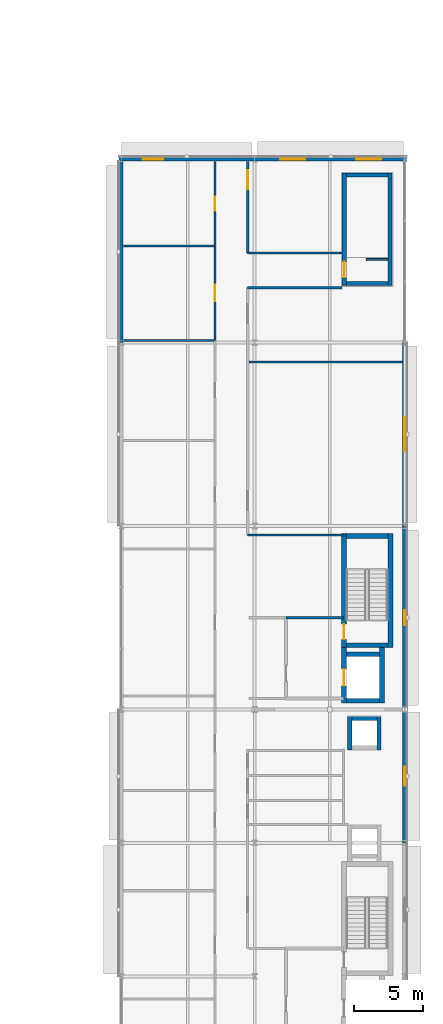
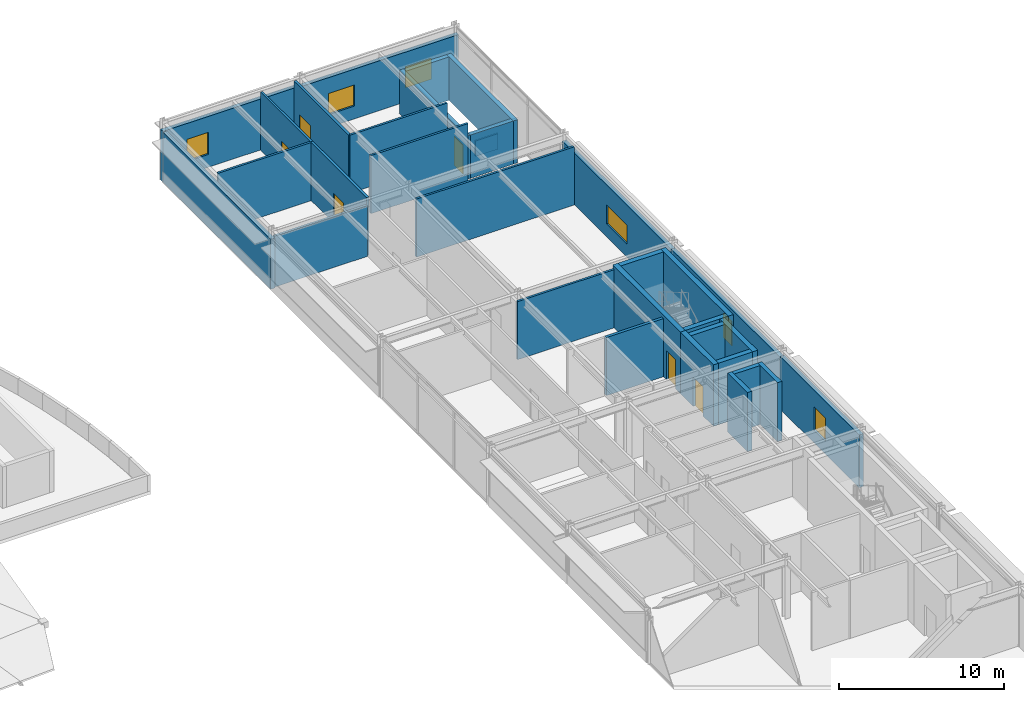
# One storey, part 38 of 50: 32 walls, 6 doors, 6 windows, 12 openings.
"""IFC4 building model written with IfcOpenShell, lengths in metres."""

from ifc_helpers import new_model, si_unit, direction, frame, frame_2d, origin, place, context, subcontext, project, spatial, rectangle, extrude, material, layer, layer_set, type_object, element, fill, save


model = new_model("IFC4")

# Units and contexts
model_context = context("Model", 3, precision=1e-05, world=origin(), true_north=direction((0.0, 1.0)))
body_context = subcontext(model_context, "Body", "Model", "MODEL_VIEW")
ifc_project = project(units=[si_unit("LENGTHUNIT", "METRE"), si_unit("AREAUNIT", "SQUARE_METRE"), si_unit("VOLUMEUNIT", "CUBIC_METRE"), si_unit("PLANEANGLEUNIT", "RADIAN"), si_unit("MASSUNIT", "GRAM", prefix="KILO")], contexts=[model_context])

# Site, building, storey
site_placement = place(None, origin())
site = spatial("IfcSite", under=ifc_project, at=site_placement, CompositionType="ELEMENT")
building_placement = place(site_placement, origin())
building = spatial("IfcBuilding", under=site, at=building_placement, Name="Almandine Court Research Institute", CompositionType="ELEMENT")
storey_placement = place(building_placement, frame((0.0, 0.0, 23.449951171875)))
storey = spatial("IfcBuildingStorey", under=building, at=storey_placement, Name="L05", CompositionType="ELEMENT", Elevation=23.449951171875)

# Wall
ifc_material_1 = material(Name="Insulated Ochre Terracotta Rainscreen Wall", Category="masonry")
ifc_layer_1 = layer(ifc_material_1, 0.2900390625)
ifc_layer_set_1 = layer_set([ifc_layer_1], Name="Insulated Ochre Terracotta Rainscreen Wall")
wall_type_1 = type_object("IfcWallType", Name="Wall-EXT-TERR-290", PredefinedType="SOLIDWALL", material=ifc_layer_set_1)
wall_1_placement = place(storey_placement, frame((153.60009765625, 70.803955078125, 0.0), z_axis=(0.0, 0.0, 1.0), x_axis=(0.0, 1.0, 0.0)))
element("IfcWall", 1, at=wall_1_placement, inside=storey, type_object=wall_type_1, Name="L05 Wet Lab West Facade Wall 7", PredefinedType="SOLIDWALL", context=body_context, shape_type="SweptSolid", body=[
    extrude(rectangle(XDim=13.047119140625, YDim=0.2900390625, at=frame_2d((6.5234375, 0.0))), origin(), (0.0, 0.0, 1.0), 3.695068359375),
])

# Wall, opening, window
wall_2_placement = place(storey_placement, frame((153.455078125, 84.0, 0.0), z_axis=(0.0, 0.0, 1.0), x_axis=(1.0, 0.0, 0.0)))
wall_2 = element("IfcWall", 2, at=wall_2_placement, inside=storey, type_object=wall_type_1, Name="L05 Wet Lab North Wall 1", PredefinedType="SOLIDWALL", context=body_context, shape_type="SweptSolid", body=[
    extrude(rectangle(XDim=9.740966796875, YDim=0.2900390625, at=frame_2d((4.87060546875, 0.0))), origin(), (0.0, 0.0, 1.0), 3.762939453125),
])
opening_1_placement = place(wall_2_placement, frame((1.68994140625, 0.0, 0.949951171875)))
opening_1 = element("IfcOpeningElement", 3, at=opening_1_placement, cuts=wall_2, Name="Opening WN-14", PredefinedType="OPENING", context=body_context, shape_type="SweptSolid", body=[
    extrude(rectangle(XDim=1.489990234375, YDim=1.639892578125, at=frame_2d((0.7451171875, 0.81982421875))), frame((0.0, 0.155029296875, 0.0), z_axis=(0.0, -1.0, 0.0), x_axis=(1.0, 0.0, 0.0)), (0.0, 0.0, 1.0), 0.31005859375),
])
ifc_material_2 = material(Name="Thermally Broken Low-E Double-Glazed Window", Category="glass")
window_type_1 = type_object("IfcWindowType", Name="Win-WN-14-1490x1640", PartitioningType="SINGLE_PANEL", PredefinedType="WINDOW", material=ifc_material_2)
window_1_placement = place(opening_1_placement, origin())
window_1 = element("IfcWindow", 4, at=window_1_placement, inside=storey, type_object=window_type_1, Name="L05 Modular Recessed Low-E Window 147", OverallHeight=1.639892578125, OverallWidth=1.489990234375, PartitioningType="SINGLE_PANEL", PredefinedType="WINDOW", context=body_context, shape_type="SweptSolid", body=[
    extrude(rectangle(XDim=1.489990234375, YDim=1.639892578125, at=frame_2d((0.7451171875, 0.81982421875))), frame((0.0, 0.030029296875, 0.0), z_axis=(0.0, -1.0, 0.0), x_axis=(1.0, 0.0, 0.0)), (0.0, 0.0, 1.0), 0.06005859375),
])
fill(opening_1, window_1)

# Wall, openings, windows
wall_3_placement = place(storey_placement, frame((163.2041015625, 84.0, 0.0), z_axis=(0.0, 0.0, 1.0), x_axis=(1.0, 0.0, 0.0)))
wall_3 = element("IfcWall", 5, at=wall_3_placement, inside=storey, type_object=wall_type_1, Name="L05 Wet Lab North Wall 2", PredefinedType="SOLIDWALL", context=body_context, shape_type="SweptSolid", body=[
    extrude(rectangle(XDim=10.94091796875, YDim=0.2900390625, at=frame_2d((5.470458984375, 0.0))), origin(), (0.0, 0.0, 1.0), 3.68701171875),
])
opening_2_placement = place(wall_3_placement, frame((1.824951171875, 0.0, 0.949951171875)))
opening_2 = element("IfcOpeningElement", 6, at=opening_2_placement, cuts=wall_3, Name="Opening WN-78", PredefinedType="OPENING", context=body_context, shape_type="SweptSolid", body=[
    extrude(rectangle(XDim=1.820068359375, YDim=1.56005859375, at=frame_2d((0.91015625, 0.780029296875))), frame((0.0, 0.155029296875, 0.0), z_axis=(0.0, -1.0, 0.0), x_axis=(1.0, 0.0, 0.0)), (0.0, 0.0, 1.0), 0.31005859375),
])
opening_3_placement = place(wall_3_placement, frame((7.2958984375, 0.0, 0.949951171875)))
opening_3 = element("IfcOpeningElement", 7, at=opening_3_placement, cuts=wall_3, Name="Opening WN-78", PredefinedType="OPENING", context=body_context, shape_type="SweptSolid", body=[
    extrude(rectangle(XDim=1.820068359375, YDim=1.56005859375, at=frame_2d((0.91015625, 0.780029296875))), frame((0.0, 0.155029296875, 0.0), z_axis=(0.0, -1.0, 0.0), x_axis=(1.0, 0.0, 0.0)), (0.0, 0.0, 1.0), 0.31005859375),
])
window_type_2 = type_object("IfcWindowType", Name="Win-WN-78-1820x1560", PartitioningType="SINGLE_PANEL", PredefinedType="WINDOW", material=ifc_material_2)
window_2_placement = place(opening_2_placement, origin())
window_2 = element("IfcWindow", 8, at=window_2_placement, inside=storey, type_object=window_type_2, Name="L05 Modular Recessed Low-E Window 148", OverallHeight=1.56005859375, OverallWidth=1.820068359375, PartitioningType="SINGLE_PANEL", PredefinedType="WINDOW", context=body_context, shape_type="SweptSolid", body=[
    extrude(rectangle(XDim=1.820068359375, YDim=1.56005859375, at=frame_2d((0.91015625, 0.780029296875))), frame((0.0, 0.030029296875, 0.0), z_axis=(0.0, -1.0, 0.0), x_axis=(1.0, 0.0, 0.0)), (0.0, 0.0, 1.0), 0.06005859375),
])
fill(opening_2, window_2)
window_3_placement = place(opening_3_placement, origin())
window_3 = element("IfcWindow", 9, at=window_3_placement, inside=storey, type_object=window_type_2, Name="L05 Modular Recessed Low-E Window 149", OverallHeight=1.56005859375, OverallWidth=1.820068359375, PartitioningType="SINGLE_PANEL", PredefinedType="WINDOW", context=body_context, shape_type="SweptSolid", body=[
    extrude(rectangle(XDim=1.820068359375, YDim=1.56005859375, at=frame_2d((0.91015625, 0.780029296875))), frame((0.0, 0.030029296875, 0.0), z_axis=(0.0, -1.0, 0.0), x_axis=(1.0, 0.0, 0.0)), (0.0, 0.0, 1.0), 0.06005859375),
])
fill(opening_3, window_3)

# Wall, opening, window
wall_4_placement = place(storey_placement, frame((174.0, 70.7958984375, 0.0), z_axis=(0.0, 0.0, 1.0), x_axis=(0.0, -1.0, 0.0)))
wall_4 = element("IfcWall", 10, at=wall_4_placement, inside=storey, type_object=wall_type_1, Name="L05 Wet Lab East Facade Wall 6", PredefinedType="SOLIDWALL", context=body_context, shape_type="SweptSolid", body=[
    extrude(rectangle(XDim=13.19189453125, YDim=0.2900390625, at=frame_2d((6.595947265625, 0.0))), origin(), (0.0, 0.0, 1.0), 3.8310546875),
])
opening_4_placement = place(wall_4_placement, frame((5.35595703125, 0.0, 0.949951171875)))
opening_4 = element("IfcOpeningElement", 11, at=opening_4_placement, cuts=wall_4, Name="Opening WN-79", PredefinedType="OPENING", context=body_context, shape_type="SweptSolid", body=[
    extrude(rectangle(XDim=2.47998046875, YDim=1.39990234375, at=frame_2d((1.239990234375, 0.699951171875))), frame((0.0, 0.155029296875, 0.0), z_axis=(0.0, -1.0, 0.0), x_axis=(1.0, 0.0, 0.0)), (0.0, 0.0, 1.0), 0.31005859375),
])
window_type_3 = type_object("IfcWindowType", Name="Win-WN-79-2480x1400", PartitioningType="SINGLE_PANEL", PredefinedType="WINDOW", material=ifc_material_2)
window_4_placement = place(opening_4_placement, origin())
window_4 = element("IfcWindow", 12, at=window_4_placement, inside=storey, type_object=window_type_3, Name="L05 Modular Recessed Low-E Window 150", OverallHeight=1.39990234375, OverallWidth=2.47998046875, PartitioningType="SINGLE_PANEL", PredefinedType="WINDOW", context=body_context, shape_type="SweptSolid", body=[
    extrude(rectangle(XDim=2.47998046875, YDim=1.39990234375, at=frame_2d((1.239990234375, 0.699951171875))), frame((0.0, 0.030029296875, 0.0), z_axis=(0.0, -1.0, 0.0), x_axis=(1.0, 0.0, 0.0)), (0.0, 0.0, 1.0), 0.06005859375),
])
fill(opening_4, window_4)

wall_5_placement = place(storey_placement, frame((174.0, 57.595947265625, 0.0), z_axis=(0.0, 0.0, 1.0), x_axis=(0.0, -1.0, 0.0)))
wall_5 = element("IfcWall", 13, at=wall_5_placement, inside=storey, type_object=wall_type_1, Name="L05 Wet Lab East Facade Wall 5", PredefinedType="SOLIDWALL", context=body_context, shape_type="SweptSolid", body=[
    extrude(rectangle(XDim=13.19189453125, YDim=0.2900390625, at=frame_2d((6.595947265625, 0.0))), origin(), (0.0, 0.0, 1.0), 3.8310546875),
])
opening_5_placement = place(wall_5_placement, frame((6.071044921875, 0.0, 0.949951171875)))
opening_5 = element("IfcOpeningElement", 14, at=opening_5_placement, cuts=wall_5, Name="Opening WN-16", PredefinedType="OPENING", context=body_context, shape_type="SweptSolid", body=[
    extrude(rectangle(XDim=1.050048828125, YDim=1.800048828125, at=frame_2d((0.52490234375, 0.89990234375))), frame((0.0, 0.155029296875, 0.0), z_axis=(0.0, -1.0, 0.0), x_axis=(1.0, 0.0, 0.0)), (0.0, 0.0, 1.0), 0.31005859375),
])
window_type_4 = type_object("IfcWindowType", Name="Win-WN-16-1050x1800", PartitioningType="SINGLE_PANEL", PredefinedType="WINDOW", material=ifc_material_2)
window_5_placement = place(opening_5_placement, origin())
window_5 = element("IfcWindow", 15, at=window_5_placement, inside=storey, type_object=window_type_4, Name="L05 Modular Recessed Low-E Window 151", OverallHeight=1.800048828125, OverallWidth=1.050048828125, PartitioningType="SINGLE_PANEL", PredefinedType="WINDOW", context=body_context, shape_type="SweptSolid", body=[
    extrude(rectangle(XDim=1.050048828125, YDim=1.800048828125, at=frame_2d((0.52490234375, 0.89990234375))), frame((0.0, 0.030029296875, 0.0), z_axis=(0.0, -1.0, 0.0), x_axis=(1.0, 0.0, 0.0)), (0.0, 0.0, 1.0), 0.06005859375),
])
fill(opening_5, window_5)

wall_6_placement = place(storey_placement, frame((174.0, 44.39599609375, 0.0), z_axis=(0.0, 0.0, 1.0), x_axis=(0.0, -1.0, 0.0)))
wall_6 = element("IfcWall", 16, at=wall_6_placement, inside=storey, type_object=wall_type_1, Name="L05 Wet Lab East Facade Wall 4", PredefinedType="SOLIDWALL", context=body_context, shape_type="SweptSolid", body=[
    extrude(rectangle(XDim=9.592041015625, YDim=0.2900390625, at=frame_2d((4.7958984375, 0.0))), origin(), (0.0, 0.0, 1.0), 3.899169921875),
])
opening_6_placement = place(wall_6_placement, frame((4.10595703125, 0.0, 0.949951171875)))
opening_6 = element("IfcOpeningElement", 17, at=opening_6_placement, cuts=wall_6, Name="Opening WN-17", PredefinedType="OPENING", context=body_context, shape_type="SweptSolid", body=[
    extrude(rectangle(XDim=1.3798828125, YDim=1.719970703125, at=frame_2d((0.68994140625, 0.85986328125))), frame((0.0, 0.155029296875, 0.0), z_axis=(0.0, -1.0, 0.0), x_axis=(1.0, 0.0, 0.0)), (0.0, 0.0, 1.0), 0.31005859375),
])
window_type_5 = type_object("IfcWindowType", Name="Win-WN-17-1380x1720", PartitioningType="SINGLE_PANEL", PredefinedType="WINDOW", material=ifc_material_2)
window_6_placement = place(opening_6_placement, origin())
window_6 = element("IfcWindow", 18, at=window_6_placement, inside=storey, type_object=window_type_5, Name="L05 Modular Recessed Low-E Window 152", OverallHeight=1.719970703125, OverallWidth=1.3798828125, PartitioningType="SINGLE_PANEL", PredefinedType="WINDOW", context=body_context, shape_type="SweptSolid", body=[
    extrude(rectangle(XDim=1.3798828125, YDim=1.719970703125, at=frame_2d((0.68994140625, 0.85986328125))), frame((0.0, 0.030029296875, 0.0), z_axis=(0.0, -1.0, 0.0), x_axis=(1.0, 0.0, 0.0)), (0.0, 0.0, 1.0), 0.06005859375),
])
fill(opening_6, window_6)

# Wall, opening, door
ifc_material_3 = material(Name="One-Hour Fire-Rated Laboratory Partition")
ifc_layer_2 = layer(ifc_material_3, 0.175048828125)
ifc_layer_set_2 = layer_set([ifc_layer_2], Name="One-Hour Fire-Rated Laboratory Partition")
wall_type_2 = type_object("IfcWallType", Name="Wall-FIRE-175", PredefinedType="PARTITIONING", material=ifc_layer_set_2)
wall_7_placement = place(storey_placement, frame((160.35009765625, 70.9599609375, 0.0), z_axis=(0.0, 0.0, 1.0), x_axis=(0.0, 1.0, 0.0)))
wall_7 = element("IfcWall", 19, at=wall_7_placement, inside=storey, type_object=wall_type_2, Name="L05 Interior Partition W-V4-L05-WW-8", PredefinedType="PARTITIONING", context=body_context, shape_type="SweptSolid", body=[
    extrude(rectangle(XDim=6.800048828125, YDim=0.175048828125, at=frame_2d((3.39990234375, 0.0))), origin(), (0.0, 0.0, 1.0), 4.300048828125),
])
opening_7_placement = place(wall_7_placement, frame((2.800048828125, 0.0, 0.0)))
opening_7 = element("IfcOpeningElement", 20, at=opening_7_placement, cuts=wall_7, Name="Opening FD-LAB", PredefinedType="OPENING", context=body_context, shape_type="SweptSolid", body=[
    extrude(rectangle(XDim=1.199951171875, YDim=2.199951171875, at=frame_2d((0.60009765625, 1.10009765625))), frame((0.0, 0.097412109375, 0.0), z_axis=(0.0, -1.0, 0.0), x_axis=(1.0, 0.0, 0.0)), (0.0, 0.0, 1.0), 0.195068359375),
])
ifc_material_4 = material(Name="Fire-Rated Laboratory Containment Door")
door_type_1 = type_object("IfcDoorType", Name="Door-FD-LAB-1200", OperationType="NOTDEFINED", PredefinedType="DOOR", material=ifc_material_4)
door_1_placement = place(opening_7_placement, origin())
door_1 = element("IfcDoor", 21, at=door_1_placement, inside=storey, type_object=door_type_1, Name="L05 Wet Chemistry Laboratory Door", OperationType="SINGLE_SWING_LEFT", OverallHeight=2.199951171875, OverallWidth=1.199951171875, PredefinedType="DOOR", context=body_context, shape_type="SweptSolid", body=[
    extrude(rectangle(XDim=1.199951171875, YDim=2.199951171875, at=frame_2d((0.60009765625, 1.10009765625))), frame((0.0, 0.02490234375, 0.0), z_axis=(0.0, -1.0, 0.0), x_axis=(1.0, 0.0, 0.0)), (0.0, 0.0, 1.0), 0.050048828125),
])
fill(opening_7, door_1)

wall_8_placement = place(storey_placement, frame((162.699951171875, 77.25, 0.0), z_axis=(0.0, 0.0, 1.0), x_axis=(0.0, 1.0, 0.0)))
wall_8 = element("IfcWall", 22, at=wall_8_placement, inside=storey, type_object=wall_type_2, Name="L05 Interior Partition W-V4-L05-EW-N2", PredefinedType="PARTITIONING", context=body_context, shape_type="SweptSolid", body=[
    extrude(rectangle(XDim=6.590087890625, YDim=0.175048828125, at=frame_2d((3.294921875, 0.0))), origin(), (0.0, 0.0, 1.0), 4.300048828125),
])
opening_8_placement = place(wall_8_placement, frame((4.590087890625, 0.0, 0.0)))
opening_8 = element("IfcOpeningElement", 23, at=opening_8_placement, cuts=wall_8, Name="Opening FD-LB2", PredefinedType="OPENING", context=body_context, shape_type="SweptSolid", body=[
    extrude(rectangle(XDim=1.35009765625, YDim=2.199951171875, at=frame_2d((0.675048828125, 1.10009765625))), frame((0.0, 0.097412109375, 0.0), z_axis=(0.0, -1.0, 0.0), x_axis=(1.0, 0.0, 0.0)), (0.0, 0.0, 1.0), 0.195068359375),
])
ifc_material_5 = material(Name="Wide Fire-Rated Cleanroom and Lab Door")
door_type_2 = type_object("IfcDoorType", Name="Door-FD-LAB-1350", OperationType="NOTDEFINED", PredefinedType="DOOR", material=ifc_material_5)
door_2_placement = place(opening_8_placement, origin())
door_2 = element("IfcDoor", 24, at=door_2_placement, inside=storey, type_object=door_type_2, Name="L05 East BSL-2 Lab Door", OperationType="SINGLE_SWING_LEFT", OverallHeight=2.199951171875, OverallWidth=1.35009765625, PredefinedType="DOOR", context=body_context, shape_type="SweptSolid", body=[
    extrude(rectangle(XDim=1.35009765625, YDim=2.199951171875, at=frame_2d((0.675048828125, 1.10009765625))), frame((0.0, 0.02490234375, 0.0), z_axis=(0.0, -1.0, 0.0), x_axis=(1.0, 0.0, 0.0)), (0.0, 0.0, 1.0), 0.050048828125),
])
fill(opening_8, door_2)

# Walls
ifc_material_6 = material(Name="Two-Hour Fire-Barrier Enclosure Wall")
ifc_layer_3 = layer(ifc_material_6, 0.199951171875)
ifc_layer_set_3 = layer_set([ifc_layer_3], Name="Two-Hour Fire-Barrier Enclosure Wall")
wall_type_3 = type_object("IfcWallType", Name="Wall-FIRE-200", PredefinedType="SOLIDWALL", material=ifc_layer_set_3)
wall_9_placement = place(storey_placement, frame((165.449951171875, 51.0, 0.0), z_axis=(0.0, 0.0, 1.0), x_axis=(1.0, 0.0, 0.0)))
element("IfcWall", 25, at=wall_9_placement, inside=storey, type_object=wall_type_3, Name="L05 Interior Partition W-FFL2-L05-N", PredefinedType="SOLIDWALL", context=body_context, shape_type="SweptSolid", body=[
    extrude(rectangle(XDim=4.150146484375, YDim=0.199951171875, at=frame_2d((2.0751953125, 0.0))), origin(), (0.0, 0.0, 1.0), 4.300048828125),
])
ifc_material_7 = material(Name="Lightweight Drywall Office Partition")
ifc_layer_4 = layer(ifc_material_7, 0.125)
ifc_layer_set_4 = layer_set([ifc_layer_4], Name="Lightweight Drywall Office Partition")
wall_type_4 = type_object("IfcWallType", Name="Wall-PART-125", PredefinedType="PARTITIONING", material=ifc_layer_set_4)
wall_10_placement = place(storey_placement, frame((172.800048828125, 76.800048828125, 0.0), z_axis=(0.0, 0.0, 1.0), x_axis=(-1.0, 0.0, 0.0)))
element("IfcWall", 26, at=wall_10_placement, inside=storey, type_object=wall_type_4, Name="L05 ST-13 Penthouse Well Curb Wall 1", PredefinedType="PARTITIONING", context=body_context, shape_type="SweptSolid", body=[
    extrude(rectangle(XDim=1.580078125, YDim=0.125, at=frame_2d((0.7900390625, 0.0))), origin(), (0.0, 0.0, 1.0), 1.150146484375),
])
ifc_material_8 = material(Name="Acoustic Steel-Stud Gypsum Partition Wall", Category="steel")
ifc_layer_5 = layer(ifc_material_8, 0.14990234375)
ifc_layer_set_5 = layer_set([ifc_layer_5], Name="Acoustic Steel-Stud Gypsum Partition Wall")
wall_type_5 = type_object("IfcWallType", Name="Wall-PART-150", PredefinedType="PARTITIONING", material=ifc_layer_set_5)
wall_11_placement = place(storey_placement, frame((153.760009765625, 70.9599609375, 0.0), z_axis=(0.0, 0.0, 1.0), x_axis=(1.0, 0.0, 0.0)))
element("IfcWall", 27, at=wall_11_placement, inside=storey, type_object=wall_type_5, Name="L05 Interior Partition W-V4-L05-WDIV-7", PredefinedType="PARTITIONING", context=body_context, shape_type="SweptSolid", body=[
    extrude(rectangle(XDim=6.510009765625, YDim=0.14990234375, at=frame_2d((3.2548828125, 0.0))), origin(), (0.0, 0.0, 1.0), 3.76806640625),
])
wall_12_placement = place(storey_placement, frame((153.760009765625, 77.760009765625, 0.0), z_axis=(0.0, 0.0, 1.0), x_axis=(1.0, 0.0, 0.0)))
element("IfcWall", 28, at=wall_12_placement, inside=storey, type_object=wall_type_5, Name="L05 Interior Partition W-V4-L05-WDIV-8", PredefinedType="PARTITIONING", context=body_context, shape_type="SweptSolid", body=[
    extrude(rectangle(XDim=6.510009765625, YDim=0.14990234375, at=frame_2d((3.2548828125, 0.0))), origin(), (0.0, 0.0, 1.0), 4.300048828125),
])

# Wall, opening, door
wall_13_placement = place(storey_placement, frame((160.35009765625, 77.760009765625, 0.0), z_axis=(0.0, 0.0, 1.0), x_axis=(0.0, 1.0, 0.0)))
wall_13 = element("IfcWall", 29, at=wall_13_placement, inside=storey, type_object=wall_type_5, Name="L05 Interior Partition W-V4-L05-WW-9", PredefinedType="PARTITIONING", context=body_context, shape_type="SweptSolid", body=[
    extrude(rectangle(XDim=6.080078125, YDim=0.14990234375, at=frame_2d((3.0400390625, 0.0))), origin(), (0.0, 0.0, 1.0), 4.300048828125),
])
opening_9_placement = place(wall_13_placement, frame((2.5400390625, 0.0, 0.0)))
opening_9 = element("IfcOpeningElement", 30, at=opening_9_placement, cuts=wall_13, Name="Opening D-02", PredefinedType="OPENING", context=body_context, shape_type="SweptSolid", body=[
    extrude(rectangle(XDim=1.0, YDim=2.199951171875, at=frame_2d((0.5, 1.10009765625))), frame((0.0, 0.0849609375, 0.0), z_axis=(0.0, -1.0, 0.0), x_axis=(1.0, 0.0, 0.0)), (0.0, 0.0, 1.0), 0.169921875),
])
ifc_material_9 = material(Name="Solid-Core Timber Researcher Office Door", Category="wood")
door_type_3 = type_object("IfcDoorType", Name="Door-INT-1000", OperationType="NOTDEFINED", PredefinedType="DOOR", material=ifc_material_9)
door_3_placement = place(opening_9_placement, origin())
door_3 = element("IfcDoor", 31, at=door_3_placement, inside=storey, type_object=door_type_3, Name="L05 Faculty Study Door", OperationType="SINGLE_SWING_RIGHT", OverallHeight=2.199951171875, OverallWidth=1.0, PredefinedType="DOOR", context=body_context, shape_type="SweptSolid", body=[
    extrude(rectangle(XDim=1.0, YDim=2.199951171875, at=frame_2d((0.5, 1.10009765625))), frame((0.0, 0.02490234375, 0.0), z_axis=(0.0, -1.0, 0.0), x_axis=(1.0, 0.0, 0.0)), (0.0, 0.0, 1.0), 0.050048828125),
])
fill(opening_9, door_3)

# Walls
wall_14_placement = place(storey_placement, frame((162.699951171875, 56.949951171875, 0.0), z_axis=(0.0, 0.0, 1.0), x_axis=(1.0, 0.0, 0.0)))
element("IfcWall", 32, at=wall_14_placement, inside=storey, type_object=wall_type_5, Name="L05 Interior Partition W-V4-L05-ES-N1", PredefinedType="PARTITIONING", context=body_context, shape_type="SweptSolid", body=[
    extrude(rectangle(XDim=7.10009765625, YDim=0.14990234375, at=frame_2d((3.550048828125, 0.0))), origin(), (0.0, 0.0, 1.0), 4.300048828125),
])
for number, where, z_axis, x_axis, name in (
    (33, (162.699951171875, 74.75, 0.0), (0.0, 0.0, 1.0), (1.0, 0.0, 0.0), "L05 Interior Partition W-V4-L05-ST13S"),
    (34, (162.699951171875, 77.25, 0.0), (0.0, 0.0, 1.0), (1.0, 0.0, 0.0), "L05 Interior Partition W-V4-L05-ST13N"),
):
    element("IfcWall", number, at=place(storey_placement, frame(where, z_axis=z_axis, x_axis=x_axis)), inside=storey, type_object=wall_type_5, Name=name, PredefinedType="PARTITIONING", context=body_context, shape_type="SweptSolid", body=[
        extrude(rectangle(XDim=6.800048828125, YDim=0.14990234375, at=frame_2d((3.39990234375, 0.0))), origin(), (0.0, 0.0, 1.0), 4.300048828125),
    ])
wall_15_placement = place(storey_placement, frame((162.7900390625, 69.39501953125, 0.0), z_axis=(0.0, 0.0, 1.0), x_axis=(1.0, 0.0, 0.0)))
element("IfcWall", 35, at=wall_15_placement, inside=storey, type_object=wall_type_5, Name="L05 Interior Partition W-V4-L05-EDIV-N", PredefinedType="PARTITIONING", context=body_context, shape_type="SweptSolid", body=[
    extrude(rectangle(XDim=11.050048828125, YDim=0.14990234375, at=frame_2d((5.52490234375, 0.0))), origin(), (0.0, 0.0, 1.0), 4.300048828125),
])
ifc_material_10 = material(Name="Concrete C40/50", Category="concrete")
ifc_layer_6 = layer(ifc_material_10, 0.300048828125)
ifc_layer_set_6 = layer_set([ifc_layer_6], Name="Concrete C40/50")
wall_type_6 = type_object("IfcWallType", Name="Wall-SW-CORE-300", PredefinedType="SHEAR", material=ifc_layer_set_6)
wall_16_placement = place(storey_placement, frame((170.050048828125, 41.5, 0.0), z_axis=(0.0, 0.0, 1.0), x_axis=(0.0, 1.0, 0.0)))
element("IfcWall", 36, at=wall_16_placement, inside=storey, type_object=wall_type_6, Name="L05 MEP Riser RS-V4B W Shear Wall", PredefinedType="SHEAR", context=body_context, shape_type="SweptSolid", body=[
    extrude(rectangle(XDim=2.39990234375, YDim=0.300048828125, at=frame_2d((1.199951171875, 0.0))), origin(), (0.0, 0.0, 1.0), 4.3701171875),
])
wall_17_placement = place(storey_placement, frame((170.199951171875, 43.75, 0.0), z_axis=(0.0, 0.0, 1.0), x_axis=(1.0, 0.0, 0.0)))
element("IfcWall", 37, at=wall_17_placement, inside=storey, type_object=wall_type_6, Name="L05 MEP Riser RS-V4B N Shear Wall", PredefinedType="SHEAR", context=body_context, shape_type="SweptSolid", body=[
    extrude(rectangle(XDim=1.800048828125, YDim=0.300048828125, at=frame_2d((0.89990234375, 0.0))), origin(), (0.0, 0.0, 1.0), 4.3701171875),
])
wall_18_placement = place(storey_placement, frame((172.14990234375, 43.89990234375, 0.0), z_axis=(0.0, 0.0, 1.0), x_axis=(0.0, -1.0, 0.0)))
element("IfcWall", 38, at=wall_18_placement, inside=storey, type_object=wall_type_6, Name="L05 MEP Riser RS-V4B E Shear Wall", PredefinedType="SHEAR", context=body_context, shape_type="SweptSolid", body=[
    extrude(rectangle(XDim=2.39990234375, YDim=0.300048828125, at=frame_2d((1.199951171875, 0.0))), origin(), (0.0, 0.0, 1.0), 4.3701171875),
])

# Wall, opening, door
ifc_layer_7 = layer(ifc_material_10, 0.300048828125)
ifc_layer_set_7 = layer_set([ifc_layer_7], Name="Concrete C40/50")
wall_type_7 = type_object("IfcWallType", Name="Wall-SW-CORE-300-E", PredefinedType="SHEAR", material=ifc_layer_set_7)
wall_19_placement = place(storey_placement, frame((169.64990234375, 74.89990234375, 0.0), z_axis=(0.0, 0.0, 1.0), x_axis=(0.0, 1.0, 0.0)))
wall_19 = element("IfcWall", 39, at=wall_19_placement, inside=storey, type_object=wall_type_7, Name="L05 ST-13 Penthouse W Shear Wall", PredefinedType="SHEAR", context=body_context, shape_type="SweptSolid", body=[
    extrude(rectangle(XDim=8.10009765625, YDim=0.300048828125, at=frame_2d((4.050048828125, 0.0))), origin(), (0.0, 0.0, 1.0), 3.199951171875),
])
opening_10_placement = place(wall_19_placement, frame((0.60009765625, 0.0, 0.0)))
opening_10 = element("IfcOpeningElement", 40, at=opening_10_placement, cuts=wall_19, Name="Opening EX-04", PredefinedType="OPENING", context=body_context, shape_type="SweptSolid", body=[
    extrude(rectangle(XDim=1.10009765625, YDim=2.14990234375, at=frame_2d((0.550048828125, 1.074951171875))), frame((0.0, 0.159912109375, 0.0), z_axis=(0.0, -1.0, 0.0), x_axis=(1.0, 0.0, 0.0)), (0.0, 0.0, 1.0), 0.320068359375),
])
ifc_material_11 = material(Name="Painted Steel Exterior Personnel Exit Door", Category="steel")
door_type_4 = type_object("IfcDoorType", Name="Door-EX-1100", OperationType="NOTDEFINED", PredefinedType="DOOR", material=ifc_material_11)
door_4_placement = place(opening_10_placement, origin())
door_4 = element("IfcDoor", 41, at=door_4_placement, inside=storey, type_object=door_type_4, Name="L05 Exit Stair ST-13 Fire Door", OperationType="SINGLE_SWING_LEFT", OverallHeight=2.14990234375, OverallWidth=1.10009765625, PredefinedType="DOOR", context=body_context, shape_type="SweptSolid", body=[
    extrude(rectangle(XDim=1.10009765625, YDim=2.14990234375, at=frame_2d((0.550048828125, 1.074951171875))), frame((0.0, 0.02490234375, 0.0), z_axis=(0.0, -1.0, 0.0), x_axis=(1.0, 0.0, 0.0)), (0.0, 0.0, 1.0), 0.050048828125),
])
fill(opening_10, door_4)

# Walls
wall_20_placement = place(storey_placement, frame((169.800048828125, 82.85009765625, 0.0), z_axis=(0.0, 0.0, 1.0), x_axis=(1.0, 0.0, 0.0)))
element("IfcWall", 42, at=wall_20_placement, inside=storey, type_object=wall_type_7, Name="L05 ST-13 Penthouse N Shear Wall", PredefinedType="SHEAR", context=body_context, shape_type="SweptSolid", body=[
    extrude(rectangle(XDim=3.0, YDim=0.300048828125, at=frame_2d((1.5, 0.0))), origin(), (0.0, 0.0, 1.0), 3.199951171875),
])
wall_21_placement = place(storey_placement, frame((172.949951171875, 83.0, 0.0), z_axis=(0.0, 0.0, 1.0), x_axis=(0.0, -1.0, 0.0)))
element("IfcWall", 43, at=wall_21_placement, inside=storey, type_object=wall_type_7, Name="L05 ST-13 Penthouse E Shear Wall", PredefinedType="SHEAR", context=body_context, shape_type="SweptSolid", body=[
    extrude(rectangle(XDim=8.10009765625, YDim=0.300048828125, at=frame_2d((4.050048828125, 0.0))), origin(), (0.0, 0.0, 1.0), 3.199951171875),
])
wall_22_placement = place(storey_placement, frame((172.800048828125, 75.050048828125, 0.0), z_axis=(0.0, 0.0, 1.0), x_axis=(-1.0, 0.0, 0.0)))
element("IfcWall", 44, at=wall_22_placement, inside=storey, type_object=wall_type_7, Name="L05 ST-13 Penthouse S Shear Wall", PredefinedType="SHEAR", context=body_context, shape_type="SweptSolid", body=[
    extrude(rectangle(XDim=3.0, YDim=0.300048828125, at=frame_2d((1.5, 0.0))), origin(), (0.0, 0.0, 1.0), 3.199951171875),
])

# Wall, opening, door
ifc_layer_8 = layer(ifc_material_10, 0.35009765625)
ifc_layer_set_8 = layer_set([ifc_layer_8], Name="Concrete C40/50")
wall_type_8 = type_object("IfcWallType", Name="Wall-SW-CORE-350", PredefinedType="SHEAR", material=ifc_layer_set_8)
wall_23_placement = place(storey_placement, frame((169.625, 48.85009765625, 0.0), z_axis=(0.0, 0.0, 1.0), x_axis=(0.0, 1.0, 0.0)))
wall_23 = element("IfcWall", 45, at=wall_23_placement, inside=storey, type_object=wall_type_8, Name="L05 ST-08 W Shear Wall", PredefinedType="SHEAR", context=body_context, shape_type="SweptSolid", body=[
    extrude(rectangle(XDim=8.199951171875, YDim=0.35009765625, at=frame_2d((4.10009765625, 0.0))), origin(), (0.0, 0.0, 1.0), 4.550048828125),
])
opening_11_placement = place(wall_23_placement, frame((0.60009765625, 0.0, 0.0)))
opening_11 = element("IfcOpeningElement", 46, at=opening_11_placement, cuts=wall_23, Name="Opening FD-STAIR", PredefinedType="OPENING", context=body_context, shape_type="SweptSolid", body=[
    extrude(rectangle(XDim=1.10009765625, YDim=2.14990234375, at=frame_2d((0.550048828125, 1.074951171875))), frame((0.0, 0.18505859375, 0.0), z_axis=(0.0, -1.0, 0.0), x_axis=(1.0, 0.0, 0.0)), (0.0, 0.0, 1.0), 0.3701171875),
])
ifc_material_12 = material(Name="Self-Closing Steel Exit Stair Fire Door", Category="steel")
door_type_5 = type_object("IfcDoorType", Name="Door-FD-STAIR-1100", OperationType="NOTDEFINED", PredefinedType="DOOR", material=ifc_material_12)
door_5_placement = place(opening_11_placement, origin())
door_5 = element("IfcDoor", 47, at=door_5_placement, inside=storey, type_object=door_type_5, Name="L05 Exit Stair ST-08 Fire Door", OperationType="SINGLE_SWING_RIGHT", OverallHeight=2.14990234375, OverallWidth=1.10009765625, PredefinedType="DOOR", context=body_context, shape_type="SweptSolid", body=[
    extrude(rectangle(XDim=1.10009765625, YDim=2.14990234375, at=frame_2d((0.550048828125, 1.074951171875))), frame((0.0, 0.02490234375, 0.0), z_axis=(0.0, -1.0, 0.0), x_axis=(1.0, 0.0, 0.0)), (0.0, 0.0, 1.0), 0.050048828125),
])
fill(opening_11, door_5)

# Walls
wall_24_placement = place(storey_placement, frame((169.800048828125, 56.875, 0.0), z_axis=(0.0, 0.0, 1.0), x_axis=(1.0, 0.0, 0.0)))
element("IfcWall", 48, at=wall_24_placement, inside=storey, type_object=wall_type_8, Name="L05 ST-08 N Shear Wall", PredefinedType="SHEAR", context=body_context, shape_type="SweptSolid", body=[
    extrude(rectangle(XDim=3.0, YDim=0.35009765625, at=frame_2d((1.5, 0.0))), origin(), (0.0, 0.0, 1.0), 4.550048828125),
])
wall_25_placement = place(storey_placement, frame((172.97509765625, 57.050048828125, 0.0), z_axis=(0.0, 0.0, 1.0), x_axis=(0.0, -1.0, 0.0)))
element("IfcWall", 49, at=wall_25_placement, inside=storey, type_object=wall_type_8, Name="L05 ST-08 E Shear Wall", PredefinedType="SHEAR", context=body_context, shape_type="SweptSolid", body=[
    extrude(rectangle(XDim=8.199951171875, YDim=0.35009765625, at=frame_2d((4.10009765625, 0.0))), origin(), (0.0, 0.0, 1.0), 4.550048828125),
])
wall_26_placement = place(storey_placement, frame((172.800048828125, 49.02490234375, 0.0), z_axis=(0.0, 0.0, 1.0), x_axis=(-1.0, 0.0, 0.0)))
element("IfcWall", 50, at=wall_26_placement, inside=storey, type_object=wall_type_8, Name="L05 ST-08 S Shear Wall", PredefinedType="SHEAR", context=body_context, shape_type="SweptSolid", body=[
    extrude(rectangle(XDim=3.0, YDim=0.35009765625, at=frame_2d((1.5, 0.0))), origin(), (0.0, 0.0, 1.0), 4.550048828125),
])

# Wall, opening, door
wall_27_placement = place(storey_placement, frame((169.625, 44.85009765625, 0.0), z_axis=(0.0, 0.0, 1.0), x_axis=(0.0, 1.0, 0.0)))
wall_27 = element("IfcWall", 51, at=wall_27_placement, inside=storey, type_object=wall_type_8, Name="L05 FL-02 Hoistway W Shear Wall", PredefinedType="SHEAR", context=body_context, shape_type="SweptSolid", body=[
    extrude(rectangle(XDim=4.0, YDim=0.35009765625, at=frame_2d((2.0, 0.0))), origin(), (0.0, 0.0, 1.0), 4.550048828125),
])
opening_12_placement = place(wall_27_placement, frame((1.25, 0.0, 0.0)))
opening_12 = element("IfcOpeningElement", 52, at=opening_12_placement, cuts=wall_27, Name="Opening LD-02", PredefinedType="OPENING", context=body_context, shape_type="SweptSolid", body=[
    extrude(rectangle(XDim=1.199951171875, YDim=2.14990234375, at=frame_2d((0.60009765625, 1.074951171875))), frame((0.0, 0.18505859375, 0.0), z_axis=(0.0, -1.0, 0.0), x_axis=(1.0, 0.0, 0.0)), (0.0, 0.0, 1.0), 0.3701171875),
])
ifc_material_13 = material(Name="Firefighting Lift Landing Sliding Door")
door_type_6 = type_object("IfcDoorType", Name="Door-LD-FSAE-1200", OperationType="SLIDING_TO_LEFT", PredefinedType="USERDEFINED", material=ifc_material_13)
door_6_placement = place(opening_12_placement, origin())
door_6 = element("IfcDoor", 53, at=door_6_placement, inside=storey, type_object=door_type_6, Name="L05 Firefighting Lift FL-02 Sliding Landing Door", ObjectType="LANDING DOOR", OperationType="SLIDING_TO_LEFT", OverallHeight=2.14990234375, OverallWidth=1.199951171875, PredefinedType="USERDEFINED", context=body_context, shape_type="SweptSolid", body=[
    extrude(rectangle(XDim=1.199951171875, YDim=2.14990234375, at=frame_2d((0.60009765625, 1.074951171875))), frame((0.0, 0.02490234375, 0.0), z_axis=(0.0, -1.0, 0.0), x_axis=(1.0, 0.0, 0.0)), (0.0, 0.0, 1.0), 0.050048828125),
])
fill(opening_12, door_6)

# Walls
wall_28_placement = place(storey_placement, frame((169.800048828125, 48.375, 0.0), z_axis=(0.0, 0.0, 1.0), x_axis=(1.0, 0.0, 0.0)))
element("IfcWall", 54, at=wall_28_placement, inside=storey, type_object=wall_type_8, Name="L05 FL-02 Hoistway N Shear Wall", PredefinedType="SHEAR", context=body_context, shape_type="SweptSolid", body=[
    extrude(rectangle(XDim=2.39990234375, YDim=0.35009765625, at=frame_2d((1.199951171875, 0.0))), origin(), (0.0, 0.0, 1.0), 4.550048828125),
])
wall_29_placement = place(storey_placement, frame((172.375, 48.85009765625, 0.0), z_axis=(0.0, 0.0, 1.0), x_axis=(0.0, -1.0, 0.0)))
element("IfcWall", 55, at=wall_29_placement, inside=storey, type_object=wall_type_8, Name="L05 FL-02 Hoistway E Shear Wall", PredefinedType="SHEAR", context=body_context, shape_type="SweptSolid", body=[
    extrude(rectangle(XDim=4.0, YDim=0.35009765625, at=frame_2d((2.0, 0.0))), origin(), (0.0, 0.0, 1.0), 4.550048828125),
])
wall_30_placement = place(storey_placement, frame((172.199951171875, 45.02490234375, 0.0), z_axis=(0.0, 0.0, 1.0), x_axis=(-1.0, 0.0, 0.0)))
element("IfcWall", 56, at=wall_30_placement, inside=storey, type_object=wall_type_8, Name="L05 FL-02 Hoistway S Shear Wall", PredefinedType="SHEAR", context=body_context, shape_type="SweptSolid", body=[
    extrude(rectangle(XDim=2.39990234375, YDim=0.35009765625, at=frame_2d((1.199951171875, 0.0))), origin(), (0.0, 0.0, 1.0), 4.550048828125),
])

save(model, "model.ifc")
